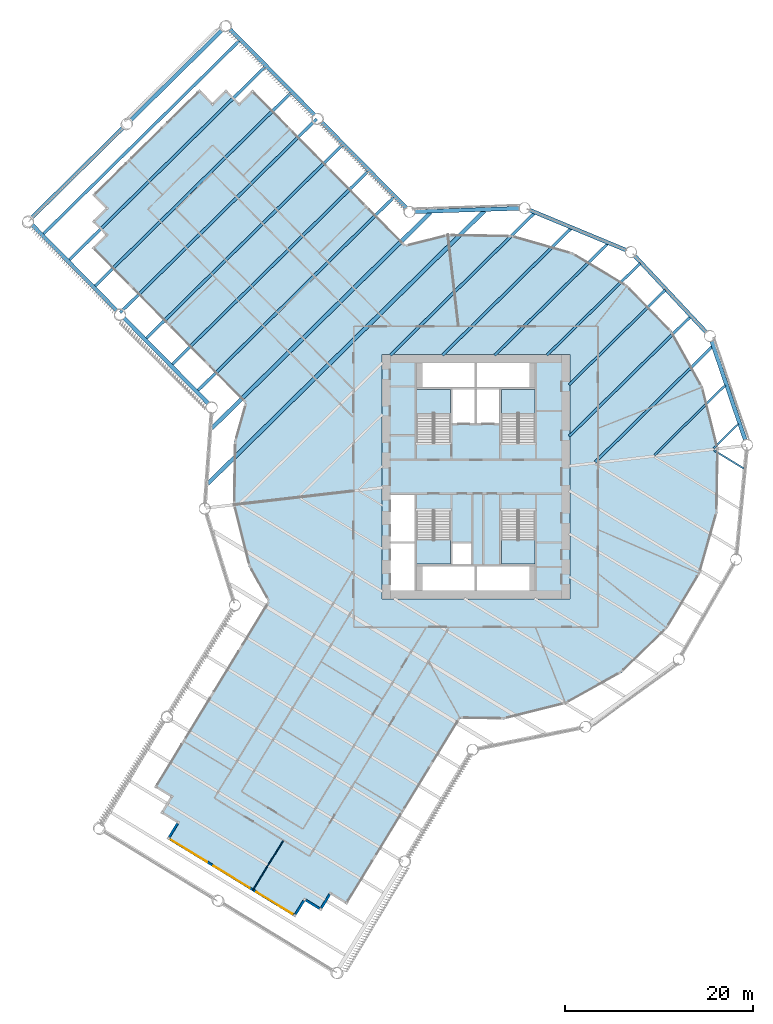
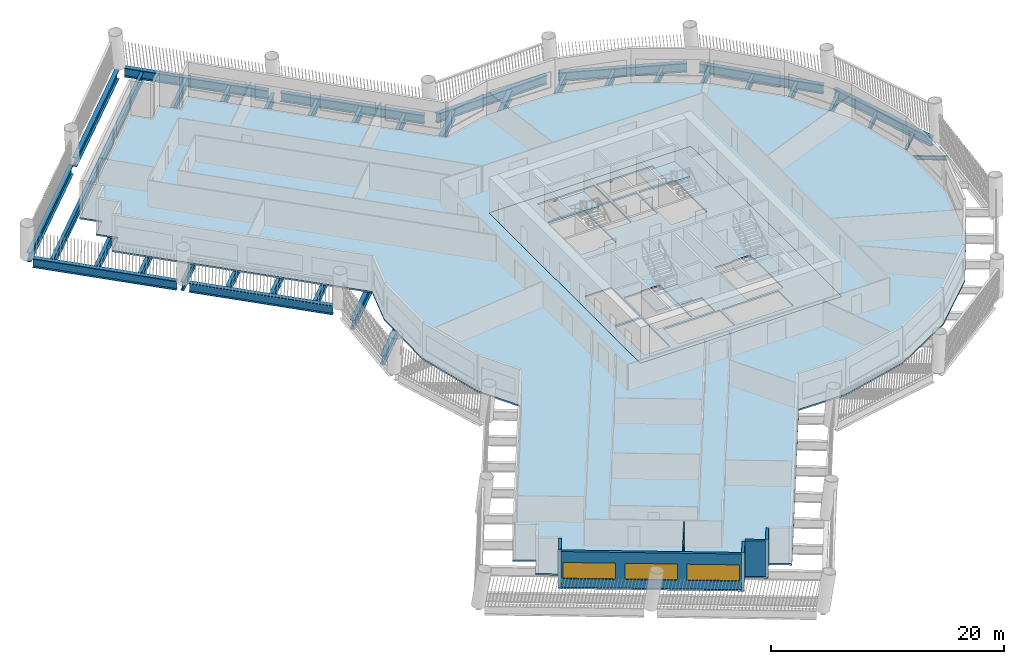
# One storey, part 2 of 15: 29 beams, 6 slabs, 6 walls, 3 windows, 3 openings, 4 elements without a shape of their own.
"""IFC4 building model written with IfcOpenShell, lengths in metres."""

from ifc_helpers import new_model, si_unit, direction, frame, frame_2d, origin, origin_2d, place, context, subcontext, project, spatial, polyline, rectangle, i_section, outline, extrude, material, layer, layer_set, material_profile, profile_set, type_object, element, fill, aggregate, save


model = new_model("IFC4")

# Units and contexts
model_context = context("Model", 3, precision=1e-05, world=origin(), true_north=direction((0.0, 1.0)))
body_context = subcontext(model_context, "Body", "Model", "MODEL_VIEW")
ifc_project = project(units=[si_unit("LENGTHUNIT", "METRE"), si_unit("AREAUNIT", "SQUARE_METRE"), si_unit("VOLUMEUNIT", "CUBIC_METRE"), si_unit("PLANEANGLEUNIT", "RADIAN"), si_unit("MASSUNIT", "GRAM", prefix="KILO")], contexts=[model_context])

# Site, building, storey
site_placement = place(None, origin())
site = spatial("IfcSite", under=ifc_project, at=site_placement, CompositionType="ELEMENT")
building_placement = place(site_placement, origin())
building = spatial("IfcBuilding", under=site, at=building_placement, Name="Tarsis Ring Headquarters", CompositionType="ELEMENT")
storey_placement = place(building_placement, frame((0.0, 0.0, 75.10009765625)))
storey = spatial("IfcBuildingStorey", under=building, at=storey_placement, Name="L16", CompositionType="ELEMENT", Elevation=75.10009765625)

# Beams
ifc_material_1 = material(Name="Structural steel S355", Category="steel")
ifc_material_profile_1 = material_profile(ifc_material_1, i_section(OverallWidth=0.177734375, OverallDepth=0.406494140625, WebThickness=0.0078125, FlangeThickness=0.0126953125, at=origin_2d()), Name="W16x40")
ifc_profile_set_1 = profile_set([ifc_material_profile_1], Name="Structural steel S355")
beam_type_1 = type_object("IfcBeamType", Name="FB Floor beam W16x40", PredefinedType="JOIST", material=ifc_profile_set_1)
for number, where, z_axis, x_axis, name in (
    (1, (25.300048828125, 2.833251953125, -0.36328125), (0.853559121928, -0.520995993625, 0.0), (0.520995993625, 0.853559121928, 0.0), "Floor beam FB1"),
    (2, (27.94287109375, 5.64599609375, -0.36328125), (-0.71204821893, -0.702130567572, 0.0), (0.702130567572, -0.71204821893, 0.0), "Floor beam FB1"),
):
    element("IfcBeam", number, at=place(storey_placement, frame(where, z_axis=z_axis, x_axis=x_axis)), inside=storey, type_object=beam_type_1, Name=name, PredefinedType="JOIST", context=body_context, shape_type="SweptSolid", body=[
        extrude(i_section(OverallWidth=0.177734375, OverallDepth=0.406494140625, WebThickness=0.0078125, FlangeThickness=0.0126953125, at=origin_2d()), origin(), (0.0, 0.0, 1.0), 3.74169921875),
    ])
ifc_material_profile_2 = material_profile(ifc_material_1, i_section(OverallWidth=0.228271484375, OverallDepth=0.607177734375, WebThickness=0.01123046875, FlangeThickness=0.017333984375, at=origin_2d()), Name="W24x76")
ifc_profile_set_2 = profile_set([ifc_material_profile_2], Name="Structural steel S355")
beam_type_2 = type_object("IfcBeamType", Name="FB Floor beam W24x76", PredefinedType="JOIST", material=ifc_profile_set_2)
beam_1_placement = place(storey_placement, frame((26.548583984375, 9.74853515625, -0.463623046875), z_axis=(-0.712020128182, -0.702159053964, 0.0), x_axis=(0.702159053964, -0.712020128182, 0.0)))
element("IfcBeam", 3, at=beam_1_placement, inside=storey, type_object=beam_type_2, Name="Floor beam FB4", PredefinedType="JOIST", context=body_context, shape_type="SweptSolid", body=[
    extrude(i_section(OverallWidth=0.228271484375, OverallDepth=0.607177734375, WebThickness=0.01123046875, FlangeThickness=0.017333984375, at=origin_2d()), origin(), (0.0, 0.0, 1.0), 10.62109375),
])
ifc_material_profile_3 = material_profile(ifc_material_1, i_section(OverallWidth=0.2666015625, OverallDepth=0.7568359375, WebThickness=0.013916015625, FlangeThickness=0.019287109375, at=origin_2d()), Name="W30x108")
ifc_profile_set_3 = profile_set([ifc_material_profile_3], Name="Structural steel S355")
beam_type_3 = type_object("IfcBeamType", Name="FB Floor beam W30x108", PredefinedType="JOIST", material=ifc_profile_set_3)
beam_2_placement = place(storey_placement, frame((20.145263671875, 19.865966796875, -0.53857421875), z_axis=(-0.712023895139, -0.702155234084, 0.0), x_axis=(0.702155234084, -0.712023895139, 0.0)))
element("IfcBeam", 4, at=beam_2_placement, inside=storey, type_object=beam_type_3, Name="Floor beam FB6", PredefinedType="JOIST", context=body_context, shape_type="SweptSolid", body=[
    extrude(i_section(OverallWidth=0.2666015625, OverallDepth=0.7568359375, WebThickness=0.013916015625, FlangeThickness=0.019287109375, at=origin_2d()), origin(), (0.0, 0.0, 1.0), 14.3486328125),
])
beam_3_placement = place(storey_placement, frame((17.47900390625, 22.7138671875, -0.53857421875), z_axis=(-0.712030281006, -0.702148758406, 0.0), x_axis=(0.702148758406, -0.712030281006, 0.0)))
element("IfcBeam", 5, at=beam_3_placement, inside=storey, type_object=beam_type_3, Name="Floor beam FB6", PredefinedType="JOIST", context=body_context, shape_type="SweptSolid", body=[
    extrude(i_section(OverallWidth=0.2666015625, OverallDepth=0.7568359375, WebThickness=0.013916015625, FlangeThickness=0.019287109375, at=origin_2d()), origin(), (0.0, 0.0, 1.0), 13.9345703125),
])
ifc_material_profile_4 = material_profile(ifc_material_1, i_section(OverallWidth=0.2919921875, OverallDepth=0.835693359375, WebThickness=0.013916015625, FlangeThickness=0.018798828125, at=origin_2d()), Name="W33x118")
ifc_profile_set_4 = profile_set([ifc_material_profile_4], Name="Structural steel S355")
beam_type_4 = type_object("IfcBeamType", Name="FB Floor beam W33x118", PredefinedType="JOIST", material=ifc_profile_set_4)
beam_4_placement = place(storey_placement, frame((25.154296875, 13.850830078125, -0.577880859375), z_axis=(-0.71202797447, -0.702151097395, 0.0), x_axis=(0.702151097395, -0.71202797447, 0.0)))
element("IfcBeam", 6, at=beam_4_placement, inside=storey, type_object=beam_type_4, Name="Floor beam FB7", PredefinedType="JOIST", context=body_context, shape_type="SweptSolid", body=[
    extrude(i_section(OverallWidth=0.2919921875, OverallDepth=0.835693359375, WebThickness=0.013916015625, FlangeThickness=0.018798828125, at=origin_2d()), origin(), (0.0, 0.0, 1.0), 17.500732421875),
])
beam_5_placement = place(storey_placement, frame((22.811767578125, 17.01806640625, -0.577880859375), z_axis=(-0.712028083907, -0.702150986418, 0.0), x_axis=(0.702150986418, -0.712028083907, 0.0)))
element("IfcBeam", 7, at=beam_5_placement, inside=storey, type_object=beam_type_4, Name="Floor beam FB7", PredefinedType="JOIST", context=body_context, shape_type="SweptSolid", body=[
    extrude(i_section(OverallWidth=0.2919921875, OverallDepth=0.835693359375, WebThickness=0.013916015625, FlangeThickness=0.018798828125, at=origin_2d()), origin(), (0.0, 0.0, 1.0), 18.093505859375),
])
beam_6_placement = place(storey_placement, frame((14.03076171875, 24.790771484375, -0.577880859375), z_axis=(-0.712025141972, -0.702153969724, 0.0), x_axis=(0.702153969724, -0.712025141972, 0.0)))
element("IfcBeam", 8, at=beam_6_placement, inside=storey, type_object=beam_type_4, Name="Floor beam FB7", PredefinedType="JOIST", context=body_context, shape_type="SweptSolid", body=[
    extrude(i_section(OverallWidth=0.2919921875, OverallDepth=0.835693359375, WebThickness=0.013916015625, FlangeThickness=0.018798828125, at=origin_2d()), origin(), (0.0, 0.0, 1.0), 16.892333984375),
])
ifc_material_profile_5 = material_profile(ifc_material_1, i_section(OverallWidth=0.3046875, OverallDepth=0.904296875, WebThickness=0.01513671875, FlangeThickness=0.02001953125, at=origin_2d()), Name="W36x135")
ifc_profile_set_5 = profile_set([ifc_material_profile_5], Name="Structural steel S355")
beam_type_5 = type_object("IfcBeamType", Name="FB Floor beam W36x135", PredefinedType="JOIST", material=ifc_profile_set_5)
beam_7_placement = place(storey_placement, frame((10.121826171875, 26.413330078125, -0.6123046875), z_axis=(-0.712028700738, -0.702150360909, 0.0), x_axis=(0.702150360909, -0.712028700738, 0.0)))
element("IfcBeam", 9, at=beam_7_placement, inside=storey, type_object=beam_type_5, Name="Floor beam FB8", PredefinedType="JOIST", context=body_context, shape_type="SweptSolid", body=[
    extrude(i_section(OverallWidth=0.3046875, OverallDepth=0.904296875, WebThickness=0.01513671875, FlangeThickness=0.02001953125, at=origin_2d()), origin(), (0.0, 0.0, 1.0), 19.203369140625),
])
ifc_material_profile_6 = material_profile(ifc_material_1, i_section(OverallWidth=0.3046875, OverallDepth=0.91943359375, WebThickness=0.017333984375, FlangeThickness=0.02783203125, at=origin_2d()), Name="W36x170")
ifc_profile_set_6 = profile_set([ifc_material_profile_6], Name="Structural steel S355")
beam_type_6 = type_object("IfcBeamType", Name="FB Floor beam W36x170", PredefinedType="JOIST", material=ifc_profile_set_6)
beam_8_placement = place(storey_placement, frame((6.212890625, 28.035888671875, -0.619873046875), z_axis=(-0.712025900292, -0.702153200742, 0.0), x_axis=(0.702153200742, -0.712025900292, 0.0)))
element("IfcBeam", 10, at=beam_8_placement, inside=storey, type_object=beam_type_6, Name="Floor beam FB9", PredefinedType="JOIST", context=body_context, shape_type="SweptSolid", body=[
    extrude(i_section(OverallWidth=0.3046875, OverallDepth=0.91943359375, WebThickness=0.017333984375, FlangeThickness=0.02783203125, at=origin_2d()), origin(), (0.0, 0.0, 1.0), 21.51416015625),
])
ifc_material_profile_7 = material_profile(ifc_material_1, i_section(OverallWidth=0.309814453125, OverallDepth=0.949951171875, WebThickness=0.0244140625, FlangeThickness=0.0439453125, at=origin_2d()), Name="W36x256")
ifc_profile_set_7 = profile_set([ifc_material_profile_7], Name="Structural steel S355")
beam_type_7 = type_object("IfcBeamType", Name="FB Floor beam W36x256", PredefinedType="JOIST", material=ifc_profile_set_7)
for number, where, z_axis, x_axis, name in (
    (11, (-8.710693359375, 29.75146484375, -0.635009765625), (-0.712026267823, -0.702152828044, 0.0), (0.702152828044, -0.712026267823, 0.0), "Floor beam FB11"),
    (12, (-11.448974609375, 32.5283203125, -0.635009765625), (-0.712026267823, -0.702152828044, 0.0), (0.702152828044, -0.712026267823, 0.0), "Floor beam FB11"),
    (13, (-14.1875, 35.30517578125, -0.635009765625), (-0.712026267823, -0.702152828044, 0.0), (0.702152828044, -0.712026267823, 0.0), "Floor beam FB11"),
):
    element("IfcBeam", number, at=place(storey_placement, frame(where, z_axis=z_axis, x_axis=x_axis)), inside=storey, type_object=beam_type_7, Name=name, PredefinedType="JOIST", context=body_context, shape_type="SweptSolid", body=[
        extrude(i_section(OverallWidth=0.309814453125, OverallDepth=0.949951171875, WebThickness=0.0244140625, FlangeThickness=0.0439453125, at=origin_2d()), origin(), (0.0, 0.0, 1.0), 29.375732421875),
    ])
for number, where, z_axis, x_axis, name in (
    (14, (-16.92578125, 38.082275390625, -0.635009765625), (-0.712022112752, -0.702157041518, 0.0), (0.702157041518, -0.712022112752, 0.0), "Floor beam FB11"),
    (15, (-19.664306640625, 40.859130859375, -0.635009765625), (-0.712022112752, -0.702157041518, 0.0), (0.702157041518, -0.712022112752, 0.0), "Floor beam FB11"),
):
    element("IfcBeam", number, at=place(storey_placement, frame(where, z_axis=z_axis, x_axis=x_axis)), inside=storey, type_object=beam_type_7, Name=name, PredefinedType="JOIST", context=body_context, shape_type="SweptSolid", body=[
        extrude(i_section(OverallWidth=0.309814453125, OverallDepth=0.949951171875, WebThickness=0.0244140625, FlangeThickness=0.0439453125, at=origin_2d()), origin(), (0.0, 0.0, 1.0), 29.3759765625),
    ])
for number, where, z_axis, x_axis, name in (
    (16, (-22.402587890625, 43.635986328125, -0.635009765625), (-0.712026267823, -0.702152828044, 0.0), (0.702152828044, -0.712026267823, 0.0), "Floor beam FB11"),
    (17, (-25.14111328125, 46.412841796875, -0.635009765625), (-0.712026267823, -0.702152828044, 0.0), (0.702152828044, -0.712026267823, 0.0), "Floor beam FB11"),
):
    element("IfcBeam", number, at=place(storey_placement, frame(where, z_axis=z_axis, x_axis=x_axis)), inside=storey, type_object=beam_type_7, Name=name, PredefinedType="JOIST", context=body_context, shape_type="SweptSolid", body=[
        extrude(i_section(OverallWidth=0.309814453125, OverallDepth=0.949951171875, WebThickness=0.0244140625, FlangeThickness=0.0439453125, at=origin_2d()), origin(), (0.0, 0.0, 1.0), 29.375732421875),
    ])
ifc_material_profile_8 = material_profile(ifc_material_1, i_section(OverallWidth=0.42431640625, OverallDepth=0.947509765625, WebThickness=0.02392578125, FlangeThickness=0.042724609375, at=origin_2d()), Name="W36x302")
ifc_profile_set_8 = profile_set([ifc_material_profile_8], Name="Structural steel S355")
beam_type_8 = type_object("IfcBeamType", Name="FB Floor beam W36x302", PredefinedType="JOIST", material=ifc_profile_set_8)
beam_9_placement = place(storey_placement, frame((0.92041015625, 28.294189453125, -0.6337890625), z_axis=(-0.71202806584, -0.702151004739, 0.0), x_axis=(0.702151004739, -0.71202806584, 0.0)))
element("IfcBeam", 18, at=beam_9_placement, inside=storey, type_object=beam_type_8, Name="Floor beam FB12", PredefinedType="JOIST", context=body_context, shape_type="SweptSolid", body=[
    extrude(i_section(OverallWidth=0.42431640625, OverallDepth=0.947509765625, WebThickness=0.02392578125, FlangeThickness=0.042724609375, at=origin_2d()), origin(), (0.0, 0.0, 1.0), 41.35302734375),
])
beam_10_placement = place(storey_placement, frame((-4.816650390625, 28.114013671875, -0.6337890625), z_axis=(-0.712027642789, -0.702151433741, 0.0), x_axis=(0.702151433741, -0.712027642789, 0.0)))
element("IfcBeam", 19, at=beam_10_placement, inside=storey, type_object=beam_type_8, Name="Floor beam FB12", PredefinedType="JOIST", context=body_context, shape_type="SweptSolid", body=[
    extrude(i_section(OverallWidth=0.42431640625, OverallDepth=0.947509765625, WebThickness=0.02392578125, FlangeThickness=0.042724609375, at=origin_2d()), origin(), (0.0, 0.0, 1.0), 32.70458984375),
])
beam_type_9 = type_object("IfcBeamType", Name="XG Ring girder W36x302", PredefinedType="BEAM", material=ifc_profile_set_8)
for number, where, z_axis, x_axis, name in (
    (20, (28.679443359375, 3.858154296875, -0.473876953125), (-0.321778705935, 0.94681490504, 0.0), (-0.94681490504, -0.321778705935, 0.0), "Ring girder XG1"),
    (21, (24.53955078125, 15.336669921875, -0.473876953125), (-0.68345159427, 0.729995834433, 0.0), (-0.729995834433, -0.68345159427, 0.0), "Ring girder XG1"),
    (22, (16.036376953125, 24.088134765625, -0.473876953125), (-0.923588445709, 0.383385423501, 0.0), (-0.383385423501, -0.923588445709, 0.0), "Ring girder XG1"),
    (23, (4.681640625, 28.556640625, -0.473876953125), (-0.999507065259, -0.031394688999, 0.0), (0.031394688999, -0.999507065259, 0.0), "Ring girder XG1"),
):
    element("IfcBeam", number, at=place(storey_placement, frame(where, z_axis=z_axis, x_axis=x_axis)), inside=storey, type_object=beam_type_9, Name=name, PredefinedType="BEAM", context=body_context, shape_type="SweptSolid", body=[
        extrude(i_section(OverallWidth=0.42431640625, OverallDepth=0.947509765625, WebThickness=0.02392578125, FlangeThickness=0.042724609375, at=origin_2d()), origin(), (0.0, 0.0, 1.0), 11.151611328125),
    ])
for number, where, z_axis, x_axis, name in (
    (24, (-7.39794921875, 28.580078125, -0.473876953125), (-0.702151389049, 0.712027686861, 0.0), (-0.712027686861, -0.702151389049, 0.0), "Ring girder XG1"),
    (25, (-17.159423828125, 38.478759765625, -0.473876953125), (-0.702151389049, 0.712027686861, 0.0), (-0.712027686861, -0.702151389049, 0.0), "Ring girder XG1"),
):
    element("IfcBeam", number, at=place(storey_placement, frame(where, z_axis=z_axis, x_axis=x_axis)), inside=storey, type_object=beam_type_9, Name=name, PredefinedType="BEAM", context=body_context, shape_type="SweptSolid", body=[
        extrude(i_section(OverallWidth=0.42431640625, OverallDepth=0.947509765625, WebThickness=0.02392578125, FlangeThickness=0.042724609375, at=origin_2d()), origin(), (0.0, 0.0, 1.0), 12.804931640625),
    ])
beam_11_placement = place(storey_placement, frame((-26.92626953125, 47.6015625, -0.473876953125), z_axis=(-0.7120336792, -0.702145312371, 0.0), x_axis=(0.702145312371, -0.7120336792, 0.0)))
element("IfcBeam", 26, at=beam_11_placement, inside=storey, type_object=beam_type_9, Name="Ring girder XG1", PredefinedType="BEAM", context=body_context, shape_type="SweptSolid", body=[
    extrude(i_section(OverallWidth=0.42431640625, OverallDepth=0.947509765625, WebThickness=0.02392578125, FlangeThickness=0.042724609375, at=origin_2d()), origin(), (0.0, 0.0, 1.0), 13.702880859375),
])
beam_12_placement = place(storey_placement, frame((-37.46435546875, 37.209716796875, -0.473876953125), z_axis=(-0.712024895169, -0.702154219997, 0.0), x_axis=(0.702154219997, -0.712024895169, 0.0)))
element("IfcBeam", 27, at=beam_12_placement, inside=storey, type_object=beam_type_9, Name="Ring girder XG1", PredefinedType="BEAM", context=body_context, shape_type="SweptSolid", body=[
    extrude(i_section(OverallWidth=0.42431640625, OverallDepth=0.947509765625, WebThickness=0.02392578125, FlangeThickness=0.042724609375, at=origin_2d()), origin(), (0.0, 0.0, 1.0), 13.70263671875),
])
beam_13_placement = place(storey_placement, frame((-47.226318359375, 26.8125, -0.473876953125), z_axis=(0.702151389049, -0.712027686861, 0.0), x_axis=(0.712027686861, 0.702151389049, 0.0)))
element("IfcBeam", 28, at=beam_13_placement, inside=storey, type_object=beam_type_9, Name="Ring girder XG1", PredefinedType="BEAM", context=body_context, shape_type="SweptSolid", body=[
    extrude(i_section(OverallWidth=0.42431640625, OverallDepth=0.947509765625, WebThickness=0.02392578125, FlangeThickness=0.042724609375, at=origin_2d()), origin(), (0.0, 0.0, 1.0), 12.804931640625),
])
beam_14_placement = place(storey_placement, frame((-37.46484375, 16.913818359375, -0.473876953125), z_axis=(0.702141856939, -0.712037086628, 0.0), x_axis=(0.712037086628, 0.702141856939, 0.0)))
element("IfcBeam", 29, at=beam_14_placement, inside=storey, type_object=beam_type_9, Name="Ring girder XG1", PredefinedType="BEAM", context=body_context, shape_type="SweptSolid", body=[
    extrude(i_section(OverallWidth=0.42431640625, OverallDepth=0.947509765625, WebThickness=0.02392578125, FlangeThickness=0.042724609375, at=origin_2d()), origin(), (0.0, 0.0, 1.0), 12.80517578125),
])

# Slab
ifc_material_2 = material(Name="Concrete C40/50", Category="concrete")
ifc_layer_1 = layer(ifc_material_2, 0.159912109375)
ifc_layer_set_1 = layer_set([ifc_layer_1], Name="Core floor slab 160 C40/50")
slab_type_1 = type_object("IfcSlabType", Name="Core floor slab 160 C40/50", PredefinedType="FLOOR", material=ifc_layer_set_1)
slab_1_placement = place(storey_placement, frame((0.0, 0.0, -0.16015625)))
element("IfcSlab", 30, at=slab_1_placement, inside=storey, type_object=slab_type_1, Name="L16 core floor slab", PredefinedType="FLOOR", context=body_context, shape_type="SweptSolid", body=[
    extrude(outline(polyline([(-10.0, -13.0), (10.0, -13.0), (10.0, 13.0), (-10.0, 13.0), (-10.0, -13.0)]), holes=[polyline([(-2.5, 5.699951171875), (-0.10009765625, 5.699951171875), (-0.10009765625, 9.300048828125), (-2.5, 9.300048828125), (-2.5, 5.699951171875)]), polyline([(0.10009765625, 5.699951171875), (2.5, 5.699951171875), (2.5, 9.300048828125), (0.10009765625, 9.300048828125), (0.10009765625, 5.699951171875)]), polyline([(-9.10009765625, -12.10009765625), (-6.5, -12.10009765625), (-6.5, -7.10009765625), (-9.10009765625, -7.10009765625), (-9.10009765625, -12.10009765625)]), polyline([(-9.10009765625, -6.89990234375), (-6.5, -6.89990234375), (-6.5, -1.89990234375), (-9.10009765625, -1.89990234375), (-9.10009765625, -6.89990234375)]), polyline([(-5.699951171875, 9.5), (-0.10009765625, 9.5), (-0.10009765625, 12.10009765625), (-5.699951171875, 12.10009765625), (-5.699951171875, 9.5)]), polyline([(0.10009765625, 9.5), (5.699951171875, 9.5), (5.699951171875, 12.10009765625), (0.10009765625, 12.10009765625), (0.10009765625, 9.5)]), polyline([(-5.699951171875, -12.10009765625), (-0.10009765625, -12.10009765625), (-0.10009765625, -9.5), (-5.699951171875, -9.5), (-5.699951171875, -12.10009765625)]), polyline([(0.10009765625, -12.10009765625), (5.699951171875, -12.10009765625), (5.699951171875, -9.5), (0.10009765625, -9.5), (0.10009765625, -12.10009765625)]), polyline([(-2.5, -9.300048828125), (-0.5, -9.300048828125), (-0.5, -7.10009765625), (-2.5, -7.10009765625), (-2.5, -9.300048828125)]), polyline([(-2.699951171875, 3.760009765625), (-2.699951171875, 9.300048828125), (-6.300048828125, 9.300048828125), (-6.300048828125, 3.659912109375), (-4.4599609375, 3.659912109375), (-4.4599609375, 3.760009765625), (-2.699951171875, 3.760009765625)]), polyline([(6.300048828125, 3.760009765625), (6.300048828125, 9.300048828125), (2.699951171875, 9.300048828125), (2.699951171875, 3.659912109375), (4.5400390625, 3.659912109375), (4.5400390625, 3.760009765625), (6.300048828125, 3.760009765625)]), polyline([(-6.300048828125, -3.760009765625), (-6.300048828125, -9.300048828125), (-2.699951171875, -9.300048828125), (-2.699951171875, -3.659912109375), (-4.5400390625, -3.659912109375), (-4.5400390625, -3.760009765625), (-6.300048828125, -3.760009765625)]), polyline([(2.699951171875, -3.760009765625), (2.699951171875, -9.300048828125), (6.300048828125, -9.300048828125), (6.300048828125, -3.659912109375), (4.4599609375, -3.659912109375), (4.4599609375, -3.760009765625), (2.699951171875, -3.760009765625)])]), origin(), (0.0, 0.0, 1.0), 0.16015625),
])

# Stair, slab
ifc_material_3 = material(Name="Core stair 1760")
stair_type = type_object("IfcStairType", Name="Core stair 1760", PredefinedType="HALF_TURN_STAIR", material=ifc_material_3)
stair_1_placement = place(storey_placement, origin())
stair_1 = element("IfcStair", 31, at=stair_1_placement, inside=storey, type_object=stair_type, Name="L16 Firefighting stair", PredefinedType="HALF_TURN_STAIR")
ifc_layer_2 = layer(ifc_material_2, 0.199951171875)
ifc_layer_set_2 = layer_set([ifc_layer_2], Name="Core stair landing 200")
slab_type_2 = type_object("IfcSlabType", Name="Core stair landing 200", PredefinedType="LANDING", material=ifc_layer_set_2)
slab_2_placement = place(storey_placement, frame((0.0, 0.0, 1.75)))
slab_2 = element("IfcSlab", 32, at=slab_2_placement, type_object=slab_type_2, Name="Stair ST1 landing 1", PredefinedType="LANDING", context=body_context, shape_type="SweptSolid", body=[
    extrude(outline(polyline([(-2.699951171875, 6.739990234375), (-2.699951171875, 9.300048828125), (-6.300048828125, 9.300048828125), (-6.300048828125, 6.739990234375), (-2.699951171875, 6.739990234375)])), origin(), (0.0, 0.0, 1.0), 0.199951171875),
])
aggregate(stair_1, [slab_2])

stair_2_placement = place(storey_placement, origin())
stair_2 = element("IfcStair", 33, at=stair_2_placement, inside=storey, type_object=stair_type, Name="L16 Exit stair B", PredefinedType="HALF_TURN_STAIR")
slab_3_placement = place(storey_placement, frame((0.0, 0.0, 1.75)))
slab_3 = element("IfcSlab", 34, at=slab_3_placement, type_object=slab_type_2, Name="Stair ST2 landing 1", PredefinedType="LANDING", context=body_context, shape_type="SweptSolid", body=[
    extrude(outline(polyline([(6.300048828125, 6.739990234375), (6.300048828125, 9.300048828125), (2.699951171875, 9.300048828125), (2.699951171875, 6.739990234375), (6.300048828125, 6.739990234375)])), origin(), (0.0, 0.0, 1.0), 0.199951171875),
])
aggregate(stair_2, [slab_3])

stair_3_placement = place(storey_placement, origin())
stair_3 = element("IfcStair", 35, at=stair_3_placement, inside=storey, type_object=stair_type, Name="L16 Exit stair C", PredefinedType="HALF_TURN_STAIR")
slab_4_placement = place(storey_placement, frame((0.0, 0.0, 1.75)))
slab_4 = element("IfcSlab", 36, at=slab_4_placement, type_object=slab_type_2, Name="Stair ST3 landing 1", PredefinedType="LANDING", context=body_context, shape_type="SweptSolid", body=[
    extrude(outline(polyline([(-6.300048828125, -6.739990234375), (-6.300048828125, -9.300048828125), (-2.699951171875, -9.300048828125), (-2.699951171875, -6.739990234375), (-6.300048828125, -6.739990234375)])), origin(), (0.0, 0.0, 1.0), 0.199951171875),
])
aggregate(stair_3, [slab_4])

stair_4_placement = place(storey_placement, origin())
stair_4 = element("IfcStair", 37, at=stair_4_placement, inside=storey, type_object=stair_type, Name="L16 Exit stair D", PredefinedType="HALF_TURN_STAIR")
slab_5_placement = place(storey_placement, frame((0.0, 0.0, 1.75)))
slab_5 = element("IfcSlab", 38, at=slab_5_placement, type_object=slab_type_2, Name="Stair ST4 landing 1", PredefinedType="LANDING", context=body_context, shape_type="SweptSolid", body=[
    extrude(outline(polyline([(2.699951171875, -6.739990234375), (2.699951171875, -9.300048828125), (6.300048828125, -9.300048828125), (6.300048828125, -6.739990234375), (2.699951171875, -6.739990234375)])), origin(), (0.0, 0.0, 1.0), 0.199951171875),
])
aggregate(stair_4, [slab_5])

# Slab
ifc_material_4 = material(Name="Concrete C35/45", Category="concrete")
ifc_layer_3 = layer(ifc_material_4, 0.159912109375)
ifc_layer_set_3 = layer_set([ifc_layer_3], Name="FS Composite floor slab 160")
slab_type_3 = type_object("IfcSlabType", Name="FS Composite floor slab 160", PredefinedType="FLOOR", material=ifc_layer_set_3)
slab_6_placement = place(storey_placement, frame((0.0, 0.0, -0.16015625)))
element("IfcSlab", 39, at=slab_6_placement, inside=storey, type_object=slab_type_3, Name="Floor slab L16", PredefinedType="FLOOR", context=body_context, shape_type="SweptSolid", body=[
    extrude(outline(polyline([(-24.572998046875, 7.828369140625), (-25.72119140625, 3.798095703125), (-25.82763671875, -2.98828125), (-24.174072265625, -9.5712890625), (-22.13623046875, -13.232666015625), (-34.208984375, -33.01123046875), (-32.501953125, -34.05322265625), (-33.5439453125, -35.76025390625), (-31.8369140625, -36.80224609375), (-32.87890625, -38.509521484375), (-19.22216796875, -46.845703125), (-18.18017578125, -45.138427734375), (-16.472900390625, -46.180419921875), (-15.430908203125, -44.473388671875), (-13.723876953125, -45.515380859375), (-1.661865234375, -25.754638671875), (2.98828125, -25.82763671875), (9.5712890625, -24.174072265625), (15.501953125, -20.873291015625), (20.3759765625, -16.14990234375), (23.861572265625, -10.325927734375), (25.72119140625, -3.798095703125), (25.82763671875, 2.98828125), (24.174072265625, 9.5712890625), (20.873291015625, 15.501953125), (16.14990234375, 20.3759765625), (10.325927734375, 23.861572265625), (3.798095703125, 25.72119140625), (-2.98828125, 25.82763671875), (-7.4990234375, 24.69482421875), (-23.754638671875, 41.178955078125), (-25.1787109375, 39.774658203125), (-26.5830078125, 41.19873046875), (-28.007080078125, 39.79443359375), (-29.411376953125, 41.218505859375), (-40.803955078125, 29.984130859375), (-39.399658203125, 28.56005859375), (-40.823486328125, 27.15576171875), (-39.419189453125, 25.731689453125), (-40.84326171875, 24.327392578125), (-24.572998046875, 7.828369140625)]), holes=[polyline([(-10.0, -13.0), (-10.0, 13.0), (10.0, 13.0), (10.0, -13.0), (-10.0, -13.0)])]), origin(), (0.0, 0.0, 1.0), 0.16015625),
])

# Walls
ifc_material_5 = material(Name="Gypsum board on steel studs", Category="steel")
ifc_layer_4 = layer(ifc_material_5, 0.10009765625)
ifc_layer_set_4 = layer_set([ifc_layer_4], Name="FL partition 100 unrated")
wall_type_1 = type_object("IfcWallType", Name="FL partition 100 unrated", PredefinedType="PARTITIONING", material=ifc_layer_set_4)
wall_1_placement = place(storey_placement, frame((-23.745361328125, -44.02587890625, 0.0), z_axis=(0.0, 0.0, 1.0), x_axis=(0.521007138546, 0.853552319184, 0.0)))
element("IfcWall", 40, at=wall_1_placement, inside=storey, type_object=wall_type_1, Name="Partition PW3", PredefinedType="PARTITIONING", context=body_context, shape_type="SweptSolid", body=[
    extrude(rectangle(XDim=6.199951171875, YDim=0.10009765625, at=frame_2d((3.10009765625, 0.0))), origin(), (0.0, 0.0, 1.0), 2.699951171875),
])
ifc_material_6 = material(Name="Terracotta clad insulated panel wall", Category="masonry")
ifc_layer_5 = layer(ifc_material_6, 0.25)
ifc_layer_set_5 = layer_set([ifc_layer_5], Name="Facade wall terracotta panel 250")
wall_type_2 = type_object("IfcWallType", Name="Facade wall terracotta panel 250", PredefinedType="STANDARD", material=ifc_layer_set_5)
wall_2_placement = place(storey_placement, frame((-31.730224609375, -36.867431640625, 0.0), z_axis=(0.0, 0.0, 1.0), x_axis=(-0.520964586502, -0.853578291436, 0.0)))
element("IfcWall", 41, at=wall_2_placement, inside=storey, type_object=wall_type_2, Name="External wall L16-10", PredefinedType="STANDARD", context=body_context, shape_type="SweptSolid", body=[
    extrude(rectangle(XDim=1.749755859375, YDim=0.25, at=frame_2d((0.875, 0.0))), origin(), (0.0, 0.0, 1.0), 3.739990234375),
])

# Wall, openings, windows
wall_3_placement = place(storey_placement, frame((-32.600341796875, -38.532958984375, 0.0), z_axis=(0.0, 0.0, 1.0), x_axis=(0.853548816867, -0.521012876256, 0.0)))
wall_3 = element("IfcWall", 42, at=wall_3_placement, inside=storey, type_object=wall_type_2, Name="External wall L16-11", PredefinedType="STANDARD", context=body_context, shape_type="SweptSolid", body=[
    extrude(rectangle(XDim=15.5, YDim=0.25, at=frame_2d((7.75, 0.0))), origin(), (0.0, 0.0, 1.0), 3.739990234375),
])
opening_1_placement = place(wall_3_placement, frame((0.166748046875, 0.0, 0.89990234375)))
opening_1 = element("IfcOpeningElement", 43, at=opening_1_placement, cuts=wall_3, Name="Opening WN04", PredefinedType="OPENING", context=body_context, shape_type="SweptSolid", body=[
    extrude(rectangle(XDim=4.5, YDim=1.699951171875, at=frame_2d((2.25, 0.85009765625))), frame((0.0, 0.135009765625, 0.0), z_axis=(0.0, -1.0, 0.0), x_axis=(1.0, 0.0, 0.0)), (0.0, 0.0, 1.0), 0.27001953125),
])
opening_2_placement = place(wall_3_placement, frame((5.5, 0.0, 0.89990234375)))
opening_2 = element("IfcOpeningElement", 44, at=opening_2_placement, cuts=wall_3, Name="Opening WN04", PredefinedType="OPENING", context=body_context, shape_type="SweptSolid", body=[
    extrude(rectangle(XDim=4.5, YDim=1.699951171875, at=frame_2d((2.25, 0.85009765625))), frame((0.0, 0.135009765625, 0.0), z_axis=(0.0, -1.0, 0.0), x_axis=(1.0, 0.0, 0.0)), (0.0, 0.0, 1.0), 0.27001953125),
])
opening_3_placement = place(wall_3_placement, frame((10.833251953125, 0.0, 0.89990234375)))
opening_3 = element("IfcOpeningElement", 45, at=opening_3_placement, cuts=wall_3, Name="Opening WN04", PredefinedType="OPENING", context=body_context, shape_type="SweptSolid", body=[
    extrude(rectangle(XDim=4.5, YDim=1.699951171875, at=frame_2d((2.25, 0.85009765625))), frame((0.0, 0.135009765625, 0.0), z_axis=(0.0, -1.0, 0.0), x_axis=(1.0, 0.0, 0.0)), (0.0, 0.0, 1.0), 0.27001953125),
])
ifc_material_7 = material(Name="Aluminium framed double glazing", Category="aluminium")
window_type = type_object("IfcWindowType", Name="Facade window 4500 x 1700", PartitioningType="SINGLE_PANEL", PredefinedType="WINDOW", material=ifc_material_7)
window_1_placement = place(opening_1_placement, origin())
window_1 = element("IfcWindow", 46, at=window_1_placement, inside=storey, type_object=window_type, Name="Window L16-11.1", OverallHeight=1.699951171875, OverallWidth=4.5, PartitioningType="SINGLE_PANEL", PredefinedType="WINDOW", context=body_context, shape_type="SweptSolid", body=[
    extrude(rectangle(XDim=4.5, YDim=1.699951171875, at=frame_2d((2.25, 0.85009765625))), frame((0.0, 0.030029296875, 0.0), z_axis=(0.0, -1.0, 0.0), x_axis=(1.0, 0.0, 0.0)), (0.0, 0.0, 1.0), 0.06005859375),
])
fill(opening_1, window_1)
window_2_placement = place(opening_2_placement, origin())
window_2 = element("IfcWindow", 47, at=window_2_placement, inside=storey, type_object=window_type, Name="Window L16-11.2", OverallHeight=1.699951171875, OverallWidth=4.5, PartitioningType="SINGLE_PANEL", PredefinedType="WINDOW", context=body_context, shape_type="SweptSolid", body=[
    extrude(rectangle(XDim=4.5, YDim=1.699951171875, at=frame_2d((2.25, 0.85009765625))), frame((0.0, 0.030029296875, 0.0), z_axis=(0.0, -1.0, 0.0), x_axis=(1.0, 0.0, 0.0)), (0.0, 0.0, 1.0), 0.06005859375),
])
fill(opening_2, window_2)
window_3_placement = place(opening_3_placement, origin())
window_3 = element("IfcWindow", 48, at=window_3_placement, inside=storey, type_object=window_type, Name="Window L16-11.3", OverallHeight=1.699951171875, OverallWidth=4.5, PartitioningType="SINGLE_PANEL", PredefinedType="WINDOW", context=body_context, shape_type="SweptSolid", body=[
    extrude(rectangle(XDim=4.5, YDim=1.699951171875, at=frame_2d((2.25, 0.85009765625))), frame((0.0, 0.030029296875, 0.0), z_axis=(0.0, -1.0, 0.0), x_axis=(1.0, 0.0, 0.0)), (0.0, 0.0, 1.0), 0.06005859375),
])
fill(opening_3, window_3)

# Walls
wall_4_placement = place(storey_placement, frame((-19.198486328125, -46.567138671875, 0.0), z_axis=(0.0, 0.0, 1.0), x_axis=(0.520964586502, 0.853578291436, 0.0)))
element("IfcWall", 49, at=wall_4_placement, inside=storey, type_object=wall_type_2, Name="External wall L16-12", PredefinedType="STANDARD", context=body_context, shape_type="SweptSolid", body=[
    extrude(rectangle(XDim=1.749755859375, YDim=0.25, at=frame_2d((0.875, 0.0))), origin(), (0.0, 0.0, 1.0), 3.739990234375),
])
for number, where, z_axis, x_axis, name in (
    (50, (-18.114990234375, -45.03173828125, 0.0), (0.0, 0.0, 1.0), (0.853554119276, -0.521004189491, 0.0), "External wall L16-13"),
    (51, (-16.449462890625, -45.902099609375, 0.0), (0.0, 0.0, 1.0), (0.521004189491, 0.853554119276, 0.0), "External wall L16-14"),
):
    element("IfcWall", number, at=place(storey_placement, frame(where, z_axis=z_axis, x_axis=x_axis)), inside=storey, type_object=wall_type_2, Name=name, PredefinedType="STANDARD", context=body_context, shape_type="SweptSolid", body=[
        extrude(rectangle(XDim=1.750244140625, YDim=0.25, at=frame_2d((0.875, 0.0))), origin(), (0.0, 0.0, 1.0), 3.739990234375),
    ])

save(model, "model.ifc")
